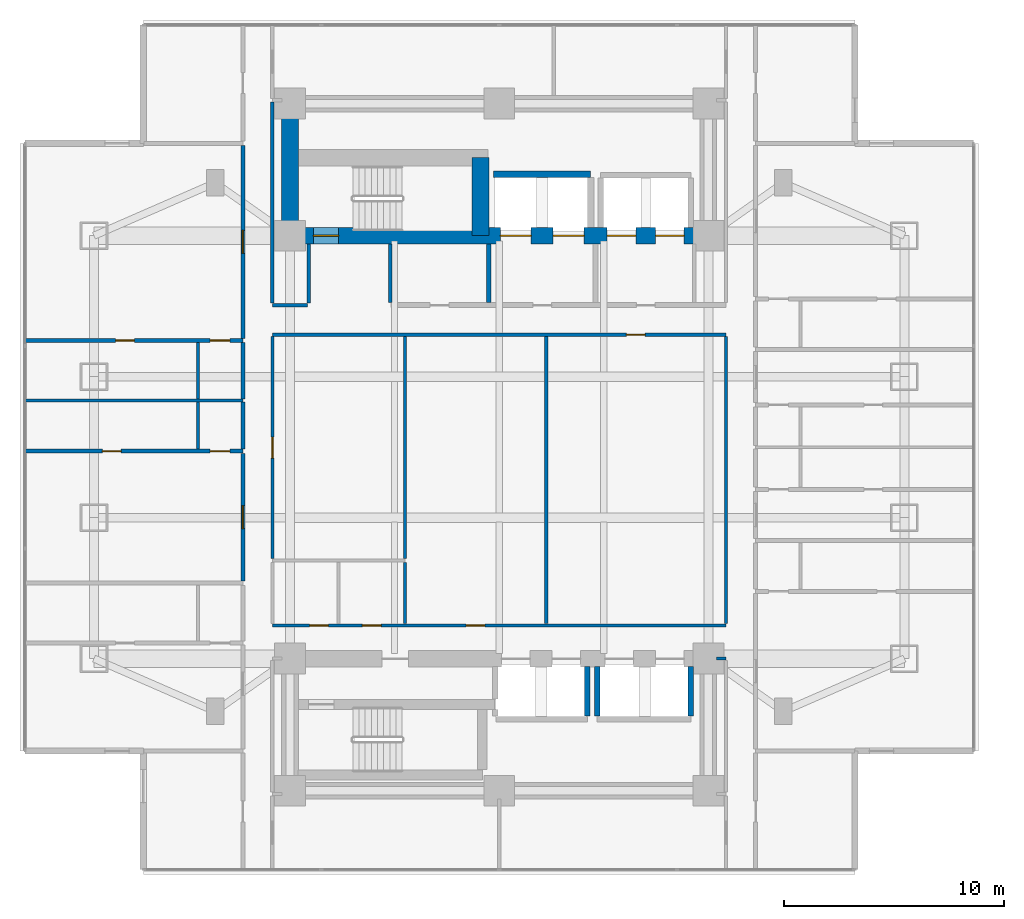
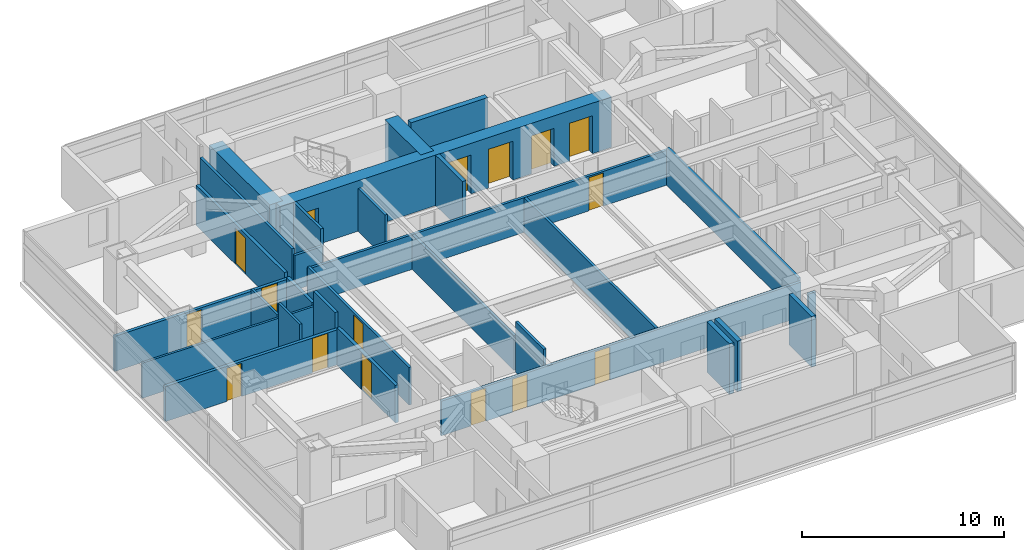
# One storey, part 13 of 23: 29 walls, 16 doors, 16 openings.
"""IFC4 building model written with IfcOpenShell, lengths in metres."""

from ifc_helpers import new_model, si_unit, direction, frame, frame_2d, origin, place, context, subcontext, project, spatial, rectangle, extrude, material, layer, layer_set, type_object, element, fill, save


model = new_model("IFC4")

# Units and contexts
model_context = context("Model", 3, precision=1e-05, world=origin(), true_north=direction((0.0, 1.0)))
body_context = subcontext(model_context, "Body", "Model", "MODEL_VIEW")
ifc_project = project(units=[si_unit("LENGTHUNIT", "METRE"), si_unit("AREAUNIT", "SQUARE_METRE"), si_unit("VOLUMEUNIT", "CUBIC_METRE"), si_unit("PLANEANGLEUNIT", "RADIAN"), si_unit("MASSUNIT", "GRAM", prefix="KILO")], contexts=[model_context])

# Site, building, storey
site_placement = place(None, origin())
site = spatial("IfcSite", under=ifc_project, at=site_placement, CompositionType="ELEMENT")
building_placement = place(site_placement, origin())
building = spatial("IfcBuilding", under=site, at=building_placement, Name="Mirazonda Arch Towers", CompositionType="ELEMENT")
storey_placement = place(building_placement, frame((0.0, 0.0, 29.0)))
storey = spatial("IfcBuildingStorey", under=building, at=storey_placement, Name="L07", CompositionType="ELEMENT", Elevation=29.0)

# Wall
ifc_material_1 = material(Name="Concrete C60/75", Category="concrete")
ifc_layer_1 = layer(ifc_material_1, 0.75, Name="WALL-CORE-750")
ifc_layer_set_1 = layer_set([ifc_layer_1], Name="Concrete C60/75")
wall_type_1 = type_object("IfcWallType", Name="WALL-CORE-750", PredefinedType="SHEAR", material=ifc_layer_set_1)
wall_1_placement = place(storey_placement, frame((11.0, 37.60009765625, 0.0), z_axis=(0.0, 0.0, 1.0), x_axis=(0.0, 1.0, 0.0)))
element("IfcWall", 1, at=wall_1_placement, inside=storey, type_object=wall_type_1, Name="L07 T1N-W Core Shear Wall", PredefinedType="SHEAR", context=body_context, shape_type="SweptSolid", body=[
    extrude(rectangle(XDim=6.0, YDim=0.75, at=frame_2d((3.0, 0.0))), origin(), (0.0, 0.0, 1.0), 3.06005859375),
])

# Wall, openings, doors
wall_2_placement = place(storey_placement, frame((11.0, 37.60009765625, 0.0), z_axis=(0.0, 0.0, 1.0), x_axis=(1.0, 0.0, 0.0)))
wall_2 = element("IfcWall", 2, at=wall_2_placement, inside=storey, type_object=wall_type_1, Name="L07 T1N-S Core Shear Wall", PredefinedType="SHEAR", context=body_context, shape_type="SweptSolid", body=[
    extrude(rectangle(XDim=19.0, YDim=0.75, at=frame_2d((9.5, 0.0))), origin(), (0.0, 0.0, 1.0), 3.06005859375),
])
opening_1_placement = place(wall_2_placement, frame((1.06005859375, 0.0, 0.0)))
opening_1 = element("IfcOpeningElement", 3, at=opening_1_placement, cuts=wall_2, Name="Opening DR-135", PredefinedType="OPENING", context=body_context, shape_type="SweptSolid", body=[
    extrude(rectangle(XDim=1.14990234375, YDim=2.199951171875, at=frame_2d((0.574951171875, 1.10009765625))), frame((0.0, 0.385009765625, 0.0), z_axis=(0.0, -1.0, 0.0), x_axis=(1.0, 0.0, 0.0)), (0.0, 0.0, 1.0), 0.77001953125),
])
opening_2_placement = place(wall_2_placement, frame((9.550048828125, 0.0, 0.0)))
opening_2 = element("IfcOpeningElement", 4, at=opening_2_placement, cuts=wall_2, Name="Opening LD-112", PredefinedType="OPENING", context=body_context, shape_type="SweptSolid", body=[
    extrude(rectangle(XDim=1.39990234375, YDim=2.35009765625, at=frame_2d((0.699951171875, 1.175048828125))), frame((0.0, 0.385009765625, 0.0), z_axis=(0.0, -1.0, 0.0), x_axis=(1.0, 0.0, 0.0)), (0.0, 0.0, 1.0), 0.77001953125),
])
opening_3_placement = place(wall_2_placement, frame((11.949951171875, 0.0, 0.0)))
opening_3 = element("IfcOpeningElement", 5, at=opening_3_placement, cuts=wall_2, Name="Opening LD-112", PredefinedType="OPENING", context=body_context, shape_type="SweptSolid", body=[
    extrude(rectangle(XDim=1.39990234375, YDim=2.35009765625, at=frame_2d((0.699951171875, 1.175048828125))), frame((0.0, 0.385009765625, 0.0), z_axis=(0.0, -1.0, 0.0), x_axis=(1.0, 0.0, 0.0)), (0.0, 0.0, 1.0), 0.77001953125),
])
opening_4_placement = place(wall_2_placement, frame((14.39990234375, 0.0, 0.0)))
opening_4 = element("IfcOpeningElement", 6, at=opening_4_placement, cuts=wall_2, Name="Opening LD-111", PredefinedType="OPENING", context=body_context, shape_type="SweptSolid", body=[
    extrude(rectangle(XDim=1.300048828125, YDim=2.300048828125, at=frame_2d((0.64990234375, 1.14990234375))), frame((0.0, 0.385009765625, 0.0), z_axis=(0.0, -1.0, 0.0), x_axis=(1.0, 0.0, 0.0)), (0.0, 0.0, 1.0), 0.77001953125),
])
opening_5_placement = place(wall_2_placement, frame((16.60009765625, 0.0, 0.0)))
opening_5 = element("IfcOpeningElement", 7, at=opening_5_placement, cuts=wall_2, Name="Opening LD-111", PredefinedType="OPENING", context=body_context, shape_type="SweptSolid", body=[
    extrude(rectangle(XDim=1.300048828125, YDim=2.300048828125, at=frame_2d((0.64990234375, 1.14990234375))), frame((0.0, 0.385009765625, 0.0), z_axis=(0.0, -1.0, 0.0), x_axis=(1.0, 0.0, 0.0)), (0.0, 0.0, 1.0), 0.77001953125),
])
ifc_material_2 = material(Name="Architectural Brushed Steel S355", Category="steel")
door_type_1 = type_object("IfcDoorType", Name="DOOR-LIFT-FFL-1400", OperationType="NOTDEFINED", PredefinedType="DOOR", material=ifc_material_2)
door_1_placement = place(opening_2_placement, origin())
door_1 = element("IfcDoor", 8, at=door_1_placement, inside=storey, type_object=door_type_1, Name="L07 Lift Landing Sliding Door FFL-T1", OperationType="DOUBLE_DOOR_SLIDING", OverallHeight=2.35009765625, OverallWidth=1.39990234375, PredefinedType="DOOR", context=body_context, shape_type="SweptSolid", body=[
    extrude(rectangle(XDim=1.39990234375, YDim=2.35009765625, at=frame_2d((0.699951171875, 1.175048828125))), frame((0.0, 0.02490234375, 0.0), z_axis=(0.0, -1.0, 0.0), x_axis=(1.0, 0.0, 0.0)), (0.0, 0.0, 1.0), 0.050048828125),
])
fill(opening_2, door_1)
door_2_placement = place(opening_3_placement, origin())
door_2 = element("IfcDoor", 9, at=door_2_placement, inside=storey, type_object=door_type_1, Name="L07 Lift Landing Sliding Door SVL-T1", OperationType="DOUBLE_DOOR_SLIDING", OverallHeight=2.35009765625, OverallWidth=1.39990234375, PredefinedType="DOOR", context=body_context, shape_type="SweptSolid", body=[
    extrude(rectangle(XDim=1.39990234375, YDim=2.35009765625, at=frame_2d((0.699951171875, 1.175048828125))), frame((0.0, 0.02490234375, 0.0), z_axis=(0.0, -1.0, 0.0), x_axis=(1.0, 0.0, 0.0)), (0.0, 0.0, 1.0), 0.050048828125),
])
fill(opening_3, door_2)
door_type_2 = type_object("IfcDoorType", Name="DOOR-LIFT-LAND-1300", OperationType="NOTDEFINED", PredefinedType="DOOR", material=ifc_material_2)
door_3_placement = place(opening_4_placement, origin())
door_3 = element("IfcDoor", 10, at=door_3_placement, inside=storey, type_object=door_type_2, Name="L07 Lift Landing Sliding Door PL-T1L1", OperationType="DOUBLE_DOOR_SLIDING", OverallHeight=2.300048828125, OverallWidth=1.300048828125, PredefinedType="DOOR", context=body_context, shape_type="SweptSolid", body=[
    extrude(rectangle(XDim=1.300048828125, YDim=2.300048828125, at=frame_2d((0.64990234375, 1.14990234375))), frame((0.0, 0.02490234375, 0.0), z_axis=(0.0, -1.0, 0.0), x_axis=(1.0, 0.0, 0.0)), (0.0, 0.0, 1.0), 0.050048828125),
])
fill(opening_4, door_3)
door_4_placement = place(opening_5_placement, origin())
door_4 = element("IfcDoor", 11, at=door_4_placement, inside=storey, type_object=door_type_2, Name="L07 Lift Landing Sliding Door PL-T1L2", OperationType="DOUBLE_DOOR_SLIDING", OverallHeight=2.300048828125, OverallWidth=1.300048828125, PredefinedType="DOOR", context=body_context, shape_type="SweptSolid", body=[
    extrude(rectangle(XDim=1.300048828125, YDim=2.300048828125, at=frame_2d((0.64990234375, 1.14990234375))), frame((0.0, 0.02490234375, 0.0), z_axis=(0.0, -1.0, 0.0), x_axis=(1.0, 0.0, 0.0)), (0.0, 0.0, 1.0), 0.050048828125),
])
fill(opening_5, door_4)
door_type_3 = type_object("IfcDoorType", Name="DOOR-STAIR-FD90-1150", OperationType="NOTDEFINED", PredefinedType="DOOR", material=ifc_material_2)
door_5_placement = place(opening_1_placement, origin())
door_5 = element("IfcDoor", 12, at=door_5_placement, inside=storey, type_object=door_type_3, Name="L07 Protected Exit Stair North Door", OperationType="SINGLE_SWING_RIGHT", OverallHeight=2.199951171875, OverallWidth=1.14990234375, PredefinedType="DOOR", context=body_context, shape_type="SweptSolid", body=[
    extrude(rectangle(XDim=1.14990234375, YDim=2.199951171875, at=frame_2d((0.574951171875, 1.10009765625))), frame((0.0, 0.02490234375, 0.0), z_axis=(0.0, -1.0, 0.0), x_axis=(1.0, 0.0, 0.0)), (0.0, 0.0, 1.0), 0.050048828125),
])
fill(opening_1, door_5)

# Walls
wall_3_placement = place(storey_placement, frame((19.64990234375, 37.60009765625, 0.0), z_axis=(0.0, 0.0, 1.0), x_axis=(0.0, 1.0, 0.0)))
element("IfcWall", 13, at=wall_3_placement, inside=storey, type_object=wall_type_1, Name="L07 T1N-STE Core Shear Wall", PredefinedType="SHEAR", context=body_context, shape_type="SweptSolid", body=[
    extrude(rectangle(XDim=3.54296875, YDim=0.75, at=frame_2d((1.771484375, 0.0))), origin(), (0.0, 0.0, 1.0), 3.06005859375),
])
ifc_material_3 = material(Name="Concrete C40/50", Category="concrete")
ifc_layer_2 = layer(ifc_material_3, 0.219970703125, Name="WALL-FFL-220")
ifc_layer_set_2 = layer_set([ifc_layer_2], Name="Concrete C40/50")
wall_type_2 = type_object("IfcWallType", Name="WALL-FFL-220", PredefinedType="SOLIDWALL", material=ifc_layer_set_2)
wall_4_placement = place(storey_placement, frame((20.02490234375, 34.570068359375, 0.0), z_axis=(0.0, 0.0, 1.0), x_axis=(0.0, 1.0, 0.0)))
element("IfcWall", 14, at=wall_4_placement, inside=storey, type_object=wall_type_2, Name="L07 Interior Partition 086", PredefinedType="SOLIDWALL", context=body_context, shape_type="SweptSolid", body=[
    extrude(rectangle(XDim=2.659912109375, YDim=0.219970703125, at=frame_2d((1.330078125, 0.0))), origin(), (0.0, 0.0, 1.0), 3.06005859375),
])
ifc_material_4 = material(Name="Fire-Rated Gypsum Stud Partition")
ifc_layer_3 = layer(ifc_material_4, 0.14990234375, Name="WALL-PART-CORR-150")
ifc_layer_set_3 = layer_set([ifc_layer_3], Name="Fire-Rated Gypsum Stud Partition")
wall_type_3 = type_object("IfcWallType", Name="WALL-PART-CORR-150", PredefinedType="PARTITIONING", material=ifc_layer_set_3)
wall_5_placement = place(storey_placement, frame((30.3701171875, 18.39990234375, 0.0), z_axis=(0.0, 0.0, 1.0), x_axis=(1.0, 0.0, 0.0)))
element("IfcWall", 15, at=wall_5_placement, inside=storey, type_object=wall_type_3, Name="L07 Interior Partition 013", PredefinedType="PARTITIONING", context=body_context, shape_type="SweptSolid", body=[
    extrude(rectangle(XDim=0.429931640625, YDim=0.14990234375, at=frame_2d((0.21484375, 0.0))), origin(), (0.0, 0.0, 1.0), 2.43603515625),
])

# Wall, openings, doors
wall_6_placement = place(storey_placement, frame((10.199951171875, 19.89990234375, 0.0), z_axis=(0.0, 0.0, 1.0), x_axis=(1.0, 0.0, 0.0)))
wall_6 = element("IfcWall", 16, at=wall_6_placement, inside=storey, type_object=wall_type_3, Name="L07 Interior Partition 016", PredefinedType="PARTITIONING", context=body_context, shape_type="SweptSolid", body=[
    extrude(rectangle(XDim=20.60009765625, YDim=0.14990234375, at=frame_2d((10.300048828125, 0.0))), origin(), (0.0, 0.0, 1.0), 2.10400390625),
])
opening_6_placement = place(wall_6_placement, frame((1.695068359375, 0.0, 0.0)))
opening_6 = element("IfcOpeningElement", 17, at=opening_6_placement, cuts=wall_6, Name="Opening DR-128", PredefinedType="OPENING", context=body_context, shape_type="SweptSolid", body=[
    extrude(rectangle(XDim=0.85009765625, YDim=2.010009765625, at=frame_2d((0.425048828125, 1.0048828125))), frame((0.0, 0.0849609375, 0.0), z_axis=(0.0, -1.0, 0.0), x_axis=(1.0, 0.0, 0.0)), (0.0, 0.0, 1.0), 0.169921875),
])
opening_7_placement = place(wall_6_placement, frame((4.0849609375, 0.0, 0.0)))
opening_7 = element("IfcOpeningElement", 18, at=opening_7_placement, cuts=wall_6, Name="Opening DR-128", PredefinedType="OPENING", context=body_context, shape_type="SweptSolid", body=[
    extrude(rectangle(XDim=0.85009765625, YDim=2.010009765625, at=frame_2d((0.425048828125, 1.0048828125))), frame((0.0, 0.0849609375, 0.0), z_axis=(0.0, -1.0, 0.0), x_axis=(1.0, 0.0, 0.0)), (0.0, 0.0, 1.0), 0.169921875),
])
opening_8_placement = place(wall_6_placement, frame((8.802490234375, 0.0, 0.0)))
opening_8 = element("IfcOpeningElement", 19, at=opening_8_placement, cuts=wall_6, Name="Opening DR-128", PredefinedType="OPENING", context=body_context, shape_type="SweptSolid", body=[
    extrude(rectangle(XDim=0.85009765625, YDim=2.010009765625, at=frame_2d((0.425048828125, 1.0048828125))), frame((0.0, 0.0849609375, 0.0), z_axis=(0.0, -1.0, 0.0), x_axis=(1.0, 0.0, 0.0)), (0.0, 0.0, 1.0), 0.169921875),
])
door_type_4 = type_object("IfcDoorType", Name="DOOR-RISER-FD60-850", OperationType="NOTDEFINED", PredefinedType="DOOR", material=ifc_material_2)
door_6_placement = place(opening_6_placement, origin())
door_6 = element("IfcDoor", 20, at=door_6_placement, inside=storey, type_object=door_type_4, Name="L07 Common Accessible WC Door", OperationType="SINGLE_SWING_RIGHT", OverallHeight=2.010009765625, OverallWidth=0.85009765625, PredefinedType="DOOR", context=body_context, shape_type="SweptSolid", body=[
    extrude(rectangle(XDim=0.85009765625, YDim=2.010009765625, at=frame_2d((0.425048828125, 1.0048828125))), frame((0.0, 0.02490234375, 0.0), z_axis=(0.0, -1.0, 0.0), x_axis=(1.0, 0.0, 0.0)), (0.0, 0.0, 1.0), 0.050048828125),
])
fill(opening_6, door_6)
door_7_placement = place(opening_7_placement, origin())
door_7 = element("IfcDoor", 21, at=door_7_placement, inside=storey, type_object=door_type_4, Name="L07 L07 West Courtyard Study Door", OperationType="SINGLE_SWING_RIGHT", OverallHeight=2.010009765625, OverallWidth=0.85009765625, PredefinedType="DOOR", context=body_context, shape_type="SweptSolid", body=[
    extrude(rectangle(XDim=0.85009765625, YDim=2.010009765625, at=frame_2d((0.425048828125, 1.0048828125))), frame((0.0, 0.02490234375, 0.0), z_axis=(0.0, -1.0, 0.0), x_axis=(1.0, 0.0, 0.0)), (0.0, 0.0, 1.0), 0.050048828125),
])
fill(opening_7, door_7)
door_8_placement = place(opening_8_placement, origin())
door_8 = element("IfcDoor", 22, at=door_8_placement, inside=storey, type_object=door_type_4, Name="L07 Executive Club Lounge Door", OperationType="SINGLE_SWING_RIGHT", OverallHeight=2.010009765625, OverallWidth=0.85009765625, PredefinedType="DOOR", context=body_context, shape_type="SweptSolid", body=[
    extrude(rectangle(XDim=0.85009765625, YDim=2.010009765625, at=frame_2d((0.425048828125, 1.0048828125))), frame((0.0, 0.02490234375, 0.0), z_axis=(0.0, -1.0, 0.0), x_axis=(1.0, 0.0, 0.0)), (0.0, 0.0, 1.0), 0.050048828125),
])
fill(opening_8, door_8)

# Wall, opening, door
wall_7_placement = place(storey_placement, frame((10.199951171875, 33.10009765625, 0.0), z_axis=(0.0, 0.0, 1.0), x_axis=(1.0, 0.0, 0.0)))
wall_7 = element("IfcWall", 23, at=wall_7_placement, inside=storey, type_object=wall_type_3, Name="L07 Interior Partition 045", PredefinedType="PARTITIONING", context=body_context, shape_type="SweptSolid", body=[
    extrude(rectangle(XDim=20.60009765625, YDim=0.14990234375, at=frame_2d((10.300048828125, 0.0))), origin(), (0.0, 0.0, 1.0), 2.10400390625),
])
opening_9_placement = place(wall_7_placement, frame((16.072509765625, 0.0, 0.0)))
opening_9 = element("IfcOpeningElement", 24, at=opening_9_placement, cuts=wall_7, Name="Opening DR-128", PredefinedType="OPENING", context=body_context, shape_type="SweptSolid", body=[
    extrude(rectangle(XDim=0.85009765625, YDim=2.010009765625, at=frame_2d((0.425048828125, 1.0048828125))), frame((0.0, 0.0849609375, 0.0), z_axis=(0.0, -1.0, 0.0), x_axis=(1.0, 0.0, 0.0)), (0.0, 0.0, 1.0), 0.169921875),
])
door_9_placement = place(opening_9_placement, origin())
door_9 = element("IfcDoor", 25, at=door_9_placement, inside=storey, type_object=door_type_4, Name="L07 Business Reading Study Door", OperationType="SINGLE_SWING_LEFT", OverallHeight=2.010009765625, OverallWidth=0.85009765625, PredefinedType="DOOR", context=body_context, shape_type="SweptSolid", body=[
    extrude(rectangle(XDim=0.85009765625, YDim=2.010009765625, at=frame_2d((0.425048828125, 1.0048828125))), frame((0.0, 0.02490234375, 0.0), z_axis=(0.0, -1.0, 0.0), x_axis=(1.0, 0.0, 0.0)), (0.0, 0.0, 1.0), 0.050048828125),
])
fill(opening_9, door_9)

# Wall
wall_8_placement = place(storey_placement, frame((10.199951171875, 34.449951171875, 0.0), z_axis=(0.0, 0.0, 1.0), x_axis=(1.0, 0.0, 0.0)))
element("IfcWall", 26, at=wall_8_placement, inside=storey, type_object=wall_type_3, Name="L07 Interior Partition 046", PredefinedType="PARTITIONING", context=body_context, shape_type="SweptSolid", body=[
    extrude(rectangle(XDim=1.60009765625, YDim=0.14990234375, at=frame_2d((0.800048828125, 0.0))), origin(), (0.0, 0.0, 1.0), 2.10400390625),
])

# Wall, opening, door
wall_9_placement = place(storey_placement, frame((10.206787109375, 22.93505859375, 0.0), z_axis=(0.0, 0.0, 1.0), x_axis=(0.0, 1.0, 0.0)))
wall_9 = element("IfcWall", 27, at=wall_9_placement, inside=storey, type_object=wall_type_3, Name="L07 Interior Partition 077", PredefinedType="PARTITIONING", context=body_context, shape_type="SweptSolid", body=[
    extrude(rectangle(XDim=10.079833984375, YDim=0.14990234375, at=frame_2d((5.0400390625, 0.0))), origin(), (0.0, 0.0, 1.0), 2.279052734375),
])
opening_10_placement = place(wall_9_placement, frame((4.56494140625, 0.0, 0.0)))
opening_10 = element("IfcOpeningElement", 28, at=opening_10_placement, cuts=wall_9, Name="Opening DR-104", PredefinedType="OPENING", context=body_context, shape_type="SweptSolid", body=[
    extrude(rectangle(XDim=0.949951171875, YDim=2.14990234375, at=frame_2d((0.47509765625, 1.074951171875))), frame((0.0, 0.0849609375, 0.0), z_axis=(0.0, -1.0, 0.0), x_axis=(1.0, 0.0, 0.0)), (0.0, 0.0, 1.0), 0.169921875),
])
door_type_5 = type_object("IfcDoorType", Name="DOOR-ROOM-950", OperationType="NOTDEFINED", PredefinedType="DOOR", material=ifc_material_2)
door_10_placement = place(opening_10_placement, origin())
door_10 = element("IfcDoor", 29, at=door_10_placement, inside=storey, type_object=door_type_5, Name="L07 L07 West Courtyard Salon Door", OperationType="SINGLE_SWING_LEFT", OverallHeight=2.14990234375, OverallWidth=0.949951171875, PredefinedType="DOOR", context=body_context, shape_type="SweptSolid", body=[
    extrude(rectangle(XDim=0.949951171875, YDim=2.14990234375, at=frame_2d((0.47509765625, 1.074951171875))), frame((0.0, 0.02490234375, 0.0), z_axis=(0.0, -1.0, 0.0), x_axis=(1.0, 0.0, 0.0)), (0.0, 0.0, 1.0), 0.050048828125),
])
fill(opening_10, door_10)

# Walls
wall_10_placement = place(storey_placement, frame((10.199951171875, 34.534912109375, 0.0), z_axis=(0.0, 0.0, 1.0), x_axis=(0.0, 1.0, 0.0)))
element("IfcWall", 30, at=wall_10_placement, inside=storey, type_object=wall_type_3, Name="L07 Interior Partition 078", PredefinedType="PARTITIONING", context=body_context, shape_type="SweptSolid", body=[
    extrude(rectangle(XDim=9.130126953125, YDim=0.14990234375, at=frame_2d((4.56494140625, 0.0))), origin(), (0.0, 0.0, 1.0), 2.43603515625),
])
wall_11_placement = place(storey_placement, frame((11.85009765625, 34.534912109375, 0.0), z_axis=(0.0, 0.0, 1.0), x_axis=(0.0, 1.0, 0.0)))
element("IfcWall", 31, at=wall_11_placement, inside=storey, type_object=wall_type_3, Name="L07 Interior Partition 080", PredefinedType="PARTITIONING", context=body_context, shape_type="SweptSolid", body=[
    extrude(rectangle(XDim=2.695068359375, YDim=0.14990234375, at=frame_2d((1.34765625, 0.0))), origin(), (0.0, 0.0, 1.0), 3.06005859375),
])
wall_12_placement = place(storey_placement, frame((15.550048828125, 34.570068359375, 0.0), z_axis=(0.0, 0.0, 1.0), x_axis=(0.0, 1.0, 0.0)))
element("IfcWall", 32, at=wall_12_placement, inside=storey, type_object=wall_type_3, Name="L07 Interior Partition 082", PredefinedType="PARTITIONING", context=body_context, shape_type="SweptSolid", body=[
    extrude(rectangle(XDim=2.659912109375, YDim=0.14990234375, at=frame_2d((1.330078125, 0.0))), origin(), (0.0, 0.0, 1.0), 2.589111328125),
])
wall_13_placement = place(storey_placement, frame((16.219970703125, 19.985107421875, 0.0), z_axis=(0.0, 0.0, 1.0), x_axis=(0.0, 1.0, 0.0)))
element("IfcWall", 33, at=wall_13_placement, inside=storey, type_object=wall_type_3, Name="L07 Interior Partition 083", PredefinedType="PARTITIONING", context=body_context, shape_type="SweptSolid", body=[
    extrude(rectangle(XDim=2.77978515625, YDim=0.14990234375, at=frame_2d((1.389892578125, 0.0))), origin(), (0.0, 0.0, 1.0), 3.06005859375),
])
wall_14_placement = place(storey_placement, frame((16.219970703125, 22.93505859375, 0.0), z_axis=(0.0, 0.0, 1.0), x_axis=(0.0, 1.0, 0.0)))
element("IfcWall", 34, at=wall_14_placement, inside=storey, type_object=wall_type_3, Name="L07 Interior Partition 084", PredefinedType="PARTITIONING", context=body_context, shape_type="SweptSolid", body=[
    extrude(rectangle(XDim=10.079833984375, YDim=0.14990234375, at=frame_2d((5.0400390625, 0.0))), origin(), (0.0, 0.0, 1.0), 2.10400390625),
])
wall_15_placement = place(storey_placement, frame((22.635009765625, 19.985107421875, 0.0), z_axis=(0.0, 0.0, 1.0), x_axis=(0.0, 1.0, 0.0)))
element("IfcWall", 35, at=wall_15_placement, inside=storey, type_object=wall_type_3, Name="L07 Interior Partition 090", PredefinedType="PARTITIONING", context=body_context, shape_type="SweptSolid", body=[
    extrude(rectangle(XDim=13.02978515625, YDim=0.14990234375, at=frame_2d((6.514892578125, 0.0))), origin(), (0.0, 0.0, 1.0), 2.10400390625),
])
wall_16_placement = place(storey_placement, frame((30.800048828125, 19.985107421875, 0.0), z_axis=(0.0, 0.0, 1.0), x_axis=(0.0, 1.0, 0.0)))
element("IfcWall", 36, at=wall_16_placement, inside=storey, type_object=wall_type_3, Name="L07 Interior Partition 102", PredefinedType="PARTITIONING", context=body_context, shape_type="SweptSolid", body=[
    extrude(rectangle(XDim=13.02978515625, YDim=0.14990234375, at=frame_2d((6.514892578125, 0.0))), origin(), (0.0, 0.0, 1.0), 2.279052734375),
])

# Wall, openings, doors
ifc_material_5 = material(Name="Fire-Rated Gypsum Twin-Stud Assembly")
ifc_layer_4 = layer(ifc_material_5, 0.179931640625, Name="WALL-PART-DEMISE-180")
ifc_layer_set_4 = layer_set([ifc_layer_4], Name="Fire-Rated Gypsum Twin-Stud Assembly")
wall_type_4 = type_object("IfcWallType", Name="WALL-PART-DEMISE-180", PredefinedType="PARTITIONING", material=ifc_layer_set_4)
wall_17_placement = place(storey_placement, frame((-1.0400390625, 27.822021484375, 0.0), z_axis=(0.0, 0.0, 1.0), x_axis=(1.0, 0.0, 0.0)))
wall_17 = element("IfcWall", 37, at=wall_17_placement, inside=storey, type_object=wall_type_4, Name="L07 Interior Partition 033", PredefinedType="PARTITIONING", context=body_context, shape_type="SweptSolid", body=[
    extrude(rectangle(XDim=9.900146484375, YDim=0.179931640625, at=frame_2d((4.9501953125, 0.0))), origin(), (0.0, 0.0, 1.0), 2.125),
])
opening_11_placement = place(wall_17_placement, frame((3.52490234375, 0.0, 0.0)))
opening_11 = element("IfcOpeningElement", 38, at=opening_11_placement, cuts=wall_17, Name="Opening DR-128", PredefinedType="OPENING", context=body_context, shape_type="SweptSolid", body=[
    extrude(rectangle(XDim=0.85009765625, YDim=2.010009765625, at=frame_2d((0.425048828125, 1.0048828125))), frame((0.0, 0.099853515625, 0.0), z_axis=(0.0, -1.0, 0.0), x_axis=(1.0, 0.0, 0.0)), (0.0, 0.0, 1.0), 0.199951171875),
])
opening_12_placement = place(wall_17_placement, frame((8.409912109375, 0.0, 0.0)))
opening_12 = element("IfcOpeningElement", 39, at=opening_12_placement, cuts=wall_17, Name="Opening DR-120", PredefinedType="OPENING", context=body_context, shape_type="SweptSolid", body=[
    extrude(rectangle(XDim=0.89990234375, YDim=2.10009765625, at=frame_2d((0.449951171875, 1.050048828125))), frame((0.0, 0.099853515625, 0.0), z_axis=(0.0, -1.0, 0.0), x_axis=(1.0, 0.0, 0.0)), (0.0, 0.0, 1.0), 0.199951171875),
])
door_11_placement = place(opening_11_placement, origin())
door_11 = element("IfcDoor", 40, at=door_11_placement, inside=storey, type_object=door_type_4, Name="L07 Guestroom Study 2 Door", OperationType="SINGLE_SWING_LEFT", OverallHeight=2.010009765625, OverallWidth=0.85009765625, PredefinedType="DOOR", context=body_context, shape_type="SweptSolid", body=[
    extrude(rectangle(XDim=0.85009765625, YDim=2.010009765625, at=frame_2d((0.425048828125, 1.0048828125))), frame((0.0, 0.02490234375, 0.0), z_axis=(0.0, -1.0, 0.0), x_axis=(1.0, 0.0, 0.0)), (0.0, 0.0, 1.0), 0.050048828125),
])
fill(opening_11, door_11)
door_type_6 = type_object("IfcDoorType", Name="DOOR-WC-900", OperationType="NOTDEFINED", PredefinedType="DOOR", material=ifc_material_2)
door_12_placement = place(opening_12_placement, origin())
door_12 = element("IfcDoor", 41, at=door_12_placement, inside=storey, type_object=door_type_6, Name="L07 En-Suite Bathroom 2 Door", OperationType="SINGLE_SWING_RIGHT", OverallHeight=2.10009765625, OverallWidth=0.89990234375, PredefinedType="DOOR", context=body_context, shape_type="SweptSolid", body=[
    extrude(rectangle(XDim=0.89990234375, YDim=2.10009765625, at=frame_2d((0.449951171875, 1.050048828125))), frame((0.0, 0.02490234375, 0.0), z_axis=(0.0, -1.0, 0.0), x_axis=(1.0, 0.0, 0.0)), (0.0, 0.0, 1.0), 0.050048828125),
])
fill(opening_12, door_12)

wall_18_placement = place(storey_placement, frame((-1.0400390625, 32.842041015625, 0.0), z_axis=(0.0, 0.0, 1.0), x_axis=(1.0, 0.0, 0.0)))
wall_18 = element("IfcWall", 42, at=wall_18_placement, inside=storey, type_object=wall_type_4, Name="L07 Interior Partition 044", PredefinedType="PARTITIONING", context=body_context, shape_type="SweptSolid", body=[
    extrude(rectangle(XDim=9.900146484375, YDim=0.179931640625, at=frame_2d((4.9501953125, 0.0))), origin(), (0.0, 0.0, 1.0), 2.125),
])
opening_13_placement = place(wall_18_placement, frame((4.125, 0.0, 0.0)))
opening_13 = element("IfcOpeningElement", 43, at=opening_13_placement, cuts=wall_18, Name="Opening DR-128", PredefinedType="OPENING", context=body_context, shape_type="SweptSolid", body=[
    extrude(rectangle(XDim=0.85009765625, YDim=2.010009765625, at=frame_2d((0.425048828125, 1.0048828125))), frame((0.0, 0.099853515625, 0.0), z_axis=(0.0, -1.0, 0.0), x_axis=(1.0, 0.0, 0.0)), (0.0, 0.0, 1.0), 0.199951171875),
])
opening_14_placement = place(wall_18_placement, frame((8.409912109375, 0.0, 0.0)))
opening_14 = element("IfcOpeningElement", 44, at=opening_14_placement, cuts=wall_18, Name="Opening DR-120", PredefinedType="OPENING", context=body_context, shape_type="SweptSolid", body=[
    extrude(rectangle(XDim=0.89990234375, YDim=2.10009765625, at=frame_2d((0.449951171875, 1.050048828125))), frame((0.0, 0.099853515625, 0.0), z_axis=(0.0, -1.0, 0.0), x_axis=(1.0, 0.0, 0.0)), (0.0, 0.0, 1.0), 0.199951171875),
])
door_13_placement = place(opening_13_placement, origin())
door_13 = element("IfcDoor", 45, at=door_13_placement, inside=storey, type_object=door_type_4, Name="L07 Suite Bedroom 3 Door", OperationType="SINGLE_SWING_RIGHT", OverallHeight=2.010009765625, OverallWidth=0.85009765625, PredefinedType="DOOR", context=body_context, shape_type="SweptSolid", body=[
    extrude(rectangle(XDim=0.85009765625, YDim=2.010009765625, at=frame_2d((0.425048828125, 1.0048828125))), frame((0.0, 0.02490234375, 0.0), z_axis=(0.0, -1.0, 0.0), x_axis=(1.0, 0.0, 0.0)), (0.0, 0.0, 1.0), 0.050048828125),
])
fill(opening_13, door_13)
door_14_placement = place(opening_14_placement, origin())
door_14 = element("IfcDoor", 46, at=door_14_placement, inside=storey, type_object=door_type_6, Name="L07 Suite En-Suite Bathroom 3 Door", OperationType="SINGLE_SWING_LEFT", OverallHeight=2.10009765625, OverallWidth=0.89990234375, PredefinedType="DOOR", context=body_context, shape_type="SweptSolid", body=[
    extrude(rectangle(XDim=0.89990234375, YDim=2.10009765625, at=frame_2d((0.449951171875, 1.050048828125))), frame((0.0, 0.02490234375, 0.0), z_axis=(0.0, -1.0, 0.0), x_axis=(1.0, 0.0, 0.0)), (0.0, 0.0, 1.0), 0.050048828125),
])
fill(opening_14, door_14)

# Wall, opening, door
wall_19_placement = place(storey_placement, frame((8.860107421875, 21.927001953125, 0.0), z_axis=(0.0, 0.0, 1.0), x_axis=(0.0, 1.0, 0.0)))
wall_19 = element("IfcWall", 47, at=wall_19_placement, inside=storey, type_object=wall_type_4, Name="L07 Interior Partition 069", PredefinedType="PARTITIONING", context=body_context, shape_type="SweptSolid", body=[
    extrude(rectangle(XDim=5.794921875, YDim=0.179931640625, at=frame_2d((2.8974609375, 0.0))), origin(), (0.0, 0.0, 1.0), 2.279052734375),
])
opening_15_placement = place(wall_19_placement, frame((2.37255859375, 0.0, 0.0)))
opening_15 = element("IfcOpeningElement", 48, at=opening_15_placement, cuts=wall_19, Name="Opening DR-121", PredefinedType="OPENING", context=body_context, shape_type="SweptSolid", body=[
    extrude(rectangle(XDim=1.050048828125, YDim=2.199951171875, at=frame_2d((0.52490234375, 1.10009765625))), frame((0.0, 0.099853515625, 0.0), z_axis=(0.0, -1.0, 0.0), x_axis=(1.0, 0.0, 0.0)), (0.0, 0.0, 1.0), 0.199951171875),
])
door_type_7 = type_object("IfcDoorType", Name="DOOR-SUITE-FD60-1050", OperationType="NOTDEFINED", PredefinedType="DOOR", material=ifc_material_2)
door_15_placement = place(opening_15_placement, origin())
door_15 = element("IfcDoor", 49, at=door_15_placement, inside=storey, type_object=door_type_7, Name="L07 Twin Hotel Guestroom 2 Door", OperationType="SINGLE_SWING_RIGHT", OverallHeight=2.199951171875, OverallWidth=1.050048828125, PredefinedType="DOOR", context=body_context, shape_type="SweptSolid", body=[
    extrude(rectangle(XDim=1.050048828125, YDim=2.199951171875, at=frame_2d((0.52490234375, 1.10009765625))), frame((0.0, 0.02490234375, 0.0), z_axis=(0.0, -1.0, 0.0), x_axis=(1.0, 0.0, 0.0)), (0.0, 0.0, 1.0), 0.050048828125),
])
fill(opening_15, door_15)

# Walls
wall_20_placement = place(storey_placement, frame((8.860107421875, 27.922119140625, 0.0), z_axis=(0.0, 0.0, 1.0), x_axis=(0.0, 1.0, 0.0)))
element("IfcWall", 50, at=wall_20_placement, inside=storey, type_object=wall_type_4, Name="L07 Interior Partition 070", PredefinedType="PARTITIONING", context=body_context, shape_type="SweptSolid", body=[
    extrude(rectangle(XDim=2.12744140625, YDim=0.179931640625, at=frame_2d((1.063720703125, 0.0))), origin(), (0.0, 0.0, 1.0), 3.06005859375),
])
wall_21_placement = place(storey_placement, frame((8.860107421875, 30.194580078125, 0.0), z_axis=(0.0, 0.0, 1.0), x_axis=(0.0, 1.0, 0.0)))
element("IfcWall", 51, at=wall_21_placement, inside=storey, type_object=wall_type_4, Name="L07 Interior Partition 071", PredefinedType="PARTITIONING", context=body_context, shape_type="SweptSolid", body=[
    extrude(rectangle(XDim=2.54736328125, YDim=0.179931640625, at=frame_2d((1.273681640625, 0.0))), origin(), (0.0, 0.0, 1.0), 2.279052734375),
])

# Wall, opening, door
wall_22_placement = place(storey_placement, frame((8.860107421875, 32.94189453125, 0.0), z_axis=(0.0, 0.0, 1.0), x_axis=(0.0, 1.0, 0.0)))
wall_22 = element("IfcWall", 52, at=wall_22_placement, inside=storey, type_object=wall_type_4, Name="L07 Interior Partition 072", PredefinedType="PARTITIONING", context=body_context, shape_type="SweptSolid", body=[
    extrude(rectangle(XDim=8.754150390625, YDim=0.179931640625, at=frame_2d((4.376953125, 0.0))), origin(), (0.0, 0.0, 1.0), 2.43603515625),
])
opening_16_placement = place(wall_22_placement, frame((3.85205078125, 0.0, 0.0)))
opening_16 = element("IfcOpeningElement", 53, at=opening_16_placement, cuts=wall_22, Name="Opening DR-121", PredefinedType="OPENING", context=body_context, shape_type="SweptSolid", body=[
    extrude(rectangle(XDim=1.050048828125, YDim=2.199951171875, at=frame_2d((0.52490234375, 1.10009765625))), frame((0.0, 0.099853515625, 0.0), z_axis=(0.0, -1.0, 0.0), x_axis=(1.0, 0.0, 0.0)), (0.0, 0.0, 1.0), 0.199951171875),
])
door_16_placement = place(opening_16_placement, origin())
door_16 = element("IfcDoor", 54, at=door_16_placement, inside=storey, type_object=door_type_7, Name="L07 Presidential Hotel Suite 3 Door", OperationType="SINGLE_SWING_LEFT", OverallHeight=2.199951171875, OverallWidth=1.050048828125, PredefinedType="DOOR", context=body_context, shape_type="SweptSolid", body=[
    extrude(rectangle(XDim=1.050048828125, YDim=2.199951171875, at=frame_2d((0.52490234375, 1.10009765625))), frame((0.0, 0.02490234375, 0.0), z_axis=(0.0, -1.0, 0.0), x_axis=(1.0, 0.0, 0.0)), (0.0, 0.0, 1.0), 0.050048828125),
])
fill(opening_16, door_16)

# Walls
ifc_material_6 = material(Name="Acoustic Fire-Rated Gypsum Partition")
ifc_layer_5 = layer(ifc_material_6, 0.125, Name="WALL-PART-UNIT-125")
ifc_layer_set_5 = layer_set([ifc_layer_5], Name="Acoustic Fire-Rated Gypsum Partition")
wall_type_5 = type_object("IfcWallType", Name="WALL-PART-UNIT-125", PredefinedType="PARTITIONING", material=ifc_layer_set_5)
wall_23_placement = place(storey_placement, frame((-1.0400390625, 30.1220703125, 0.0), z_axis=(0.0, 0.0, 1.0), x_axis=(1.0, 0.0, 0.0)))
element("IfcWall", 55, at=wall_23_placement, inside=storey, type_object=wall_type_5, Name="L07 Interior Partition 038", PredefinedType="PARTITIONING", context=body_context, shape_type="SweptSolid", body=[
    extrude(rectangle(XDim=9.900146484375, YDim=0.125, at=frame_2d((4.9501953125, 0.0))), origin(), (0.0, 0.0, 1.0), 2.125),
])
wall_24_placement = place(storey_placement, frame((6.820068359375, 27.922119140625, 0.0), z_axis=(0.0, 0.0, 1.0), x_axis=(0.0, 1.0, 0.0)))
element("IfcWall", 56, at=wall_24_placement, inside=storey, type_object=wall_type_5, Name="L07 Interior Partition 064", PredefinedType="PARTITIONING", context=body_context, shape_type="SweptSolid", body=[
    extrude(rectangle(XDim=2.12744140625, YDim=0.125, at=frame_2d((1.063720703125, 0.0))), origin(), (0.0, 0.0, 1.0), 3.06005859375),
])
wall_25_placement = place(storey_placement, frame((6.820068359375, 30.194580078125, 0.0), z_axis=(0.0, 0.0, 1.0), x_axis=(0.0, 1.0, 0.0)))
element("IfcWall", 57, at=wall_25_placement, inside=storey, type_object=wall_type_5, Name="L07 Interior Partition 065", PredefinedType="PARTITIONING", context=body_context, shape_type="SweptSolid", body=[
    extrude(rectangle(XDim=2.54736328125, YDim=0.125, at=frame_2d((1.273681640625, 0.0))), origin(), (0.0, 0.0, 1.0), 2.279052734375),
])
ifc_layer_6 = layer(ifc_material_3, 0.25, Name="WALL-SHAFT-250")
ifc_layer_set_6 = layer_set([ifc_layer_6], Name="Concrete C40/50")
wall_type_6 = type_object("IfcWallType", Name="WALL-SHAFT-250", PredefinedType="SOLIDWALL", material=ifc_layer_set_6)
for number, where, z_axis, x_axis, name in (
    (58, (24.5, 15.784912109375, 0.0), (0.0, 0.0, 1.0), (0.0, 1.0, 0.0), "L07 Interior Partition 092"),
    (59, (24.949951171875, 15.784912109375, 0.0), (0.0, 0.0, 1.0), (0.0, 1.0, 0.0), "L07 Interior Partition 094"),
    (60, (29.199951171875, 15.784912109375, 0.0), (0.0, 0.0, 1.0), (0.0, 1.0, 0.0), "L07 Interior Partition 097"),
):
    element("IfcWall", number, at=place(storey_placement, frame(where, z_axis=z_axis, x_axis=x_axis)), inside=storey, type_object=wall_type_6, Name=name, PredefinedType="SOLIDWALL", context=body_context, shape_type="SweptSolid", body=[
        extrude(rectangle(XDim=2.2451171875, YDim=0.25, at=frame_2d((1.12255859375, 0.0))), origin(), (0.0, 0.0, 1.0), 3.06005859375),
    ])
ifc_material_7 = material(Name="Concrete C50/60", Category="concrete")
ifc_layer_7 = layer(ifc_material_7, 0.300048828125, Name="WALL-SHAFT-300")
ifc_layer_set_7 = layer_set([ifc_layer_7], Name="Concrete C50/60")
wall_type_7 = type_object("IfcWallType", Name="WALL-SHAFT-300", PredefinedType="SOLIDWALL", material=ifc_layer_set_7)
wall_26_placement = place(storey_placement, frame((20.25, 40.39990234375, 0.0), z_axis=(0.0, 0.0, 1.0), x_axis=(1.0, 0.0, 0.0)))
element("IfcWall", 61, at=wall_26_placement, inside=storey, type_object=wall_type_7, Name="L07 Interior Partition 058", PredefinedType="SOLIDWALL", context=body_context, shape_type="SweptSolid", body=[
    extrude(rectangle(XDim=4.39990234375, YDim=0.300048828125, at=frame_2d((2.199951171875, 0.0))), origin(), (0.0, 0.0, 1.0), 3.06005859375),
])

save(model, "model.ifc")
